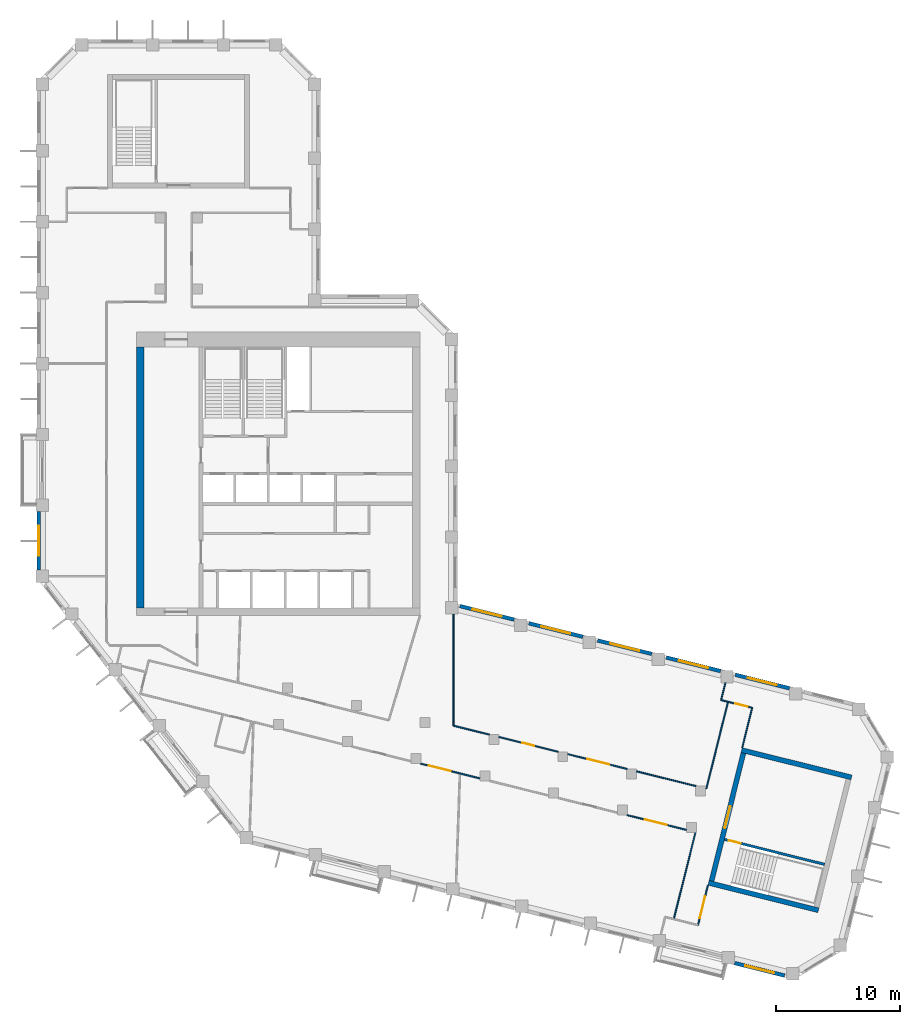
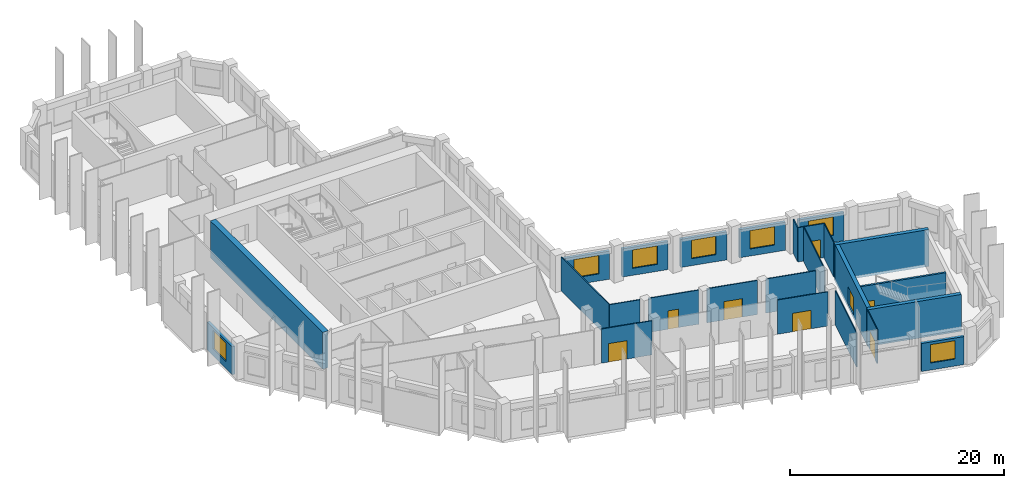
# One storey, part 4 of 9: 26 walls, 8 doors, 7 windows, 15 openings.
"""IFC4 building model written with IfcOpenShell, lengths in metres."""

from ifc_helpers import new_model, si_unit, direction, frame, frame_2d, origin, place, context, subcontext, project, spatial, rectangle, extrude, material, layer, layer_set, type_object, element, fill, save


model = new_model("IFC4")

# Units and contexts
model_context = context("Model", 3, precision=1e-05, world=origin(), true_north=direction((0.0, 1.0)))
body_context = subcontext(model_context, "Body", "Model", "MODEL_VIEW")
ifc_project = project(units=[si_unit("LENGTHUNIT", "METRE"), si_unit("AREAUNIT", "SQUARE_METRE"), si_unit("VOLUMEUNIT", "CUBIC_METRE"), si_unit("PLANEANGLEUNIT", "RADIAN"), si_unit("MASSUNIT", "GRAM", prefix="KILO")], contexts=[model_context])

# Site, building, storey
site_placement = place(None, origin())
site = spatial("IfcSite", under=ifc_project, at=site_placement, CompositionType="ELEMENT")
building_placement = place(site_placement, origin())
building = spatial("IfcBuilding", under=site, at=building_placement, Name="Meshkara Civic Tower", CompositionType="ELEMENT")
storey_placement = place(building_placement, frame((0.0, 0.0, 340.199951171875)))
storey = spatial("IfcBuildingStorey", under=building, at=storey_placement, Name="L78", CompositionType="ELEMENT", Elevation=340.199951171875)

# Wall
ifc_material_1 = material(Name="Concrete C60", Category="concrete")
ifc_layer_1 = layer(ifc_material_1, 0.60009765625)
ifc_layer_set_1 = layer_set([ifc_layer_1], Name="Core ring wall 600 C60")
wall_type_1 = type_object("IfcWallType", Name="Core ring wall 600 C60", PredefinedType="SHEAR", material=ifc_layer_set_1)
wall_1_placement = place(storey_placement, frame((8.300048828125, 14.699951171875, -0.300048828125), z_axis=(0.0, 0.0, 1.0), x_axis=(0.0, 1.0, 0.0)))
element("IfcWall", 1, at=wall_1_placement, inside=storey, type_object=wall_type_1, Name="L78-C003", PredefinedType="SHEAR", context=body_context, shape_type="SweptSolid", body=[
    extrude(rectangle(XDim=21.0, YDim=0.60009765625, at=frame_2d((10.5, 0.0))), origin(), (0.0, 0.0, 1.0), 4.2001953125),
])

# Wall, opening, door
ifc_material_2 = material(Name="Corridor wall 100")
ifc_layer_2 = layer(ifc_material_2, 0.10009765625)
ifc_layer_set_2 = layer_set([ifc_layer_2], Name="Corridor wall 100")
wall_type_2 = type_object("IfcWallType", Name="Corridor wall 100", PredefinedType="PARTITIONING", material=ifc_layer_set_2)
wall_2_placement = place(storey_placement, frame((30.85009765625, 2.201904296875, 0.0), z_axis=(0.0, 0.0, 1.0), x_axis=(0.970308932068, -0.2418689239, 0.0)))
wall_2 = element("IfcWall", 2, at=wall_2_placement, inside=storey, type_object=wall_type_2, Name="L78-W022", PredefinedType="PARTITIONING", context=body_context, shape_type="SweptSolid", body=[
    extrude(rectangle(XDim=4.91162109375, YDim=0.10009765625, at=frame_2d((2.455810546875, 0.0))), origin(), (0.0, 0.0, 1.0), 3.900146484375),
])
opening_1_placement = place(wall_2_placement, frame((0.679931640625, 0.0, 0.0)))
opening_1 = element("IfcOpeningElement", 3, at=opening_1_placement, cuts=wall_2, Name="Opening L78-D006", PredefinedType="OPENING", context=body_context, shape_type="SweptSolid", body=[
    extrude(rectangle(XDim=1.800048828125, YDim=2.10009765625, at=frame_2d((0.89990234375, 1.050048828125))), frame((0.0, 0.06005859375, 0.0), z_axis=(0.0, -1.0, 0.0), x_axis=(1.0, 0.0, 0.0)), (0.0, 0.0, 1.0), 0.1201171875),
])
ifc_material_3 = material(Name="Door pair 1800 x 2100")
door_type_1 = type_object("IfcDoorType", Name="Door pair 1800 x 2100", OperationType="SINGLE_SWING_LEFT", PredefinedType="DOOR", material=ifc_material_3)
door_1_placement = place(opening_1_placement, origin())
door_1 = element("IfcDoor", 4, at=door_1_placement, inside=storey, type_object=door_type_1, Name="L78-D006", OperationType="DOUBLE_DOOR_SINGLE_SWING", OverallHeight=2.10009765625, OverallWidth=1.800048828125, PredefinedType="DOOR", context=body_context, shape_type="SweptSolid", body=[
    extrude(rectangle(XDim=1.800048828125, YDim=2.10009765625, at=frame_2d((0.89990234375, 1.050048828125))), frame((0.0, 0.02490234375, 0.0), z_axis=(0.0, -1.0, 0.0), x_axis=(1.0, 0.0, 0.0)), (0.0, 0.0, 1.0), 0.050048828125),
])
fill(opening_1, door_1)

# Walls
wall_3_placement = place(storey_placement, frame((33.5, 5.2509765625, 0.0), z_axis=(0.0, 0.0, 1.0), x_axis=(0.0, 1.0, 0.0)))
element("IfcWall", 5, at=wall_3_placement, inside=storey, type_object=wall_type_2, Name="L78-W024", PredefinedType="PARTITIONING", context=body_context, shape_type="SweptSolid", body=[
    extrude(rectangle(XDim=8.968017578125, YDim=0.10009765625, at=frame_2d((4.48388671875, 0.0))), origin(), (0.0, 0.0, 1.0), 3.900146484375),
])
wall_4_placement = place(storey_placement, frame((36.3759765625, 4.533935546875, 0.0), z_axis=(0.0, 0.0, 1.0), x_axis=(-0.970297347928, 0.241915391415, 0.0)))
element("IfcWall", 6, at=wall_4_placement, inside=storey, type_object=wall_type_2, Name="L78-W026", PredefinedType="PARTITIONING", context=body_context, shape_type="SweptSolid", body=[
    extrude(rectangle(XDim=2.964111328125, YDim=0.10009765625, at=frame_2d((1.48193359375, 0.0))), origin(), (0.0, 0.0, 1.0), 3.900146484375),
])

# Wall, opening, door
wall_5_placement = place(storey_placement, frame((41.907958984375, 3.155029296875, 0.0), z_axis=(0.0, 0.0, 1.0), x_axis=(-0.970308932068, 0.2418689239, 0.0)))
wall_5 = element("IfcWall", 7, at=wall_5_placement, inside=storey, type_object=wall_type_2, Name="L78-W028", PredefinedType="PARTITIONING", context=body_context, shape_type="SweptSolid", body=[
    extrude(rectangle(XDim=4.91162109375, YDim=0.10009765625, at=frame_2d((2.455810546875, 0.0))), origin(), (0.0, 0.0, 1.0), 3.900146484375),
])
opening_2_placement = place(wall_5_placement, frame((1.97998046875, 0.0, 0.0)))
opening_2 = element("IfcOpeningElement", 8, at=opening_2_placement, cuts=wall_5, Name="Opening L78-D007", PredefinedType="OPENING", context=body_context, shape_type="SweptSolid", body=[
    extrude(rectangle(XDim=1.0, YDim=2.10009765625, at=frame_2d((0.5, 1.050048828125))), frame((0.0, 0.06005859375, 0.0), z_axis=(0.0, -1.0, 0.0), x_axis=(1.0, 0.0, 0.0)), (0.0, 0.0, 1.0), 0.1201171875),
])
ifc_material_4 = material(Name="Door 1000 x 2100")
door_type_2 = type_object("IfcDoorType", Name="Door 1000 x 2100", OperationType="SINGLE_SWING_LEFT", PredefinedType="DOOR", material=ifc_material_4)
door_2_placement = place(opening_2_placement, origin())
door_2 = element("IfcDoor", 9, at=door_2_placement, inside=storey, type_object=door_type_2, Name="L78-D007", OperationType="SINGLE_SWING_LEFT", OverallHeight=2.10009765625, OverallWidth=1.0, PredefinedType="DOOR", context=body_context, shape_type="SweptSolid", body=[
    extrude(rectangle(XDim=1.0, YDim=2.10009765625, at=frame_2d((0.5, 1.050048828125))), frame((0.0, 0.02490234375, 0.0), z_axis=(0.0, -1.0, 0.0), x_axis=(1.0, 0.0, 0.0)), (0.0, 0.0, 1.0), 0.050048828125),
])
fill(opening_2, door_2)

wall_6_placement = place(storey_placement, frame((47.444091796875, -1.93505859375, 0.0), z_axis=(0.0, 0.0, 1.0), x_axis=(0.970285656006, -0.241962281665, 0.0)))
wall_6 = element("IfcWall", 10, at=wall_6_placement, inside=storey, type_object=wall_type_2, Name="L78-W029", PredefinedType="PARTITIONING", context=body_context, shape_type="SweptSolid", body=[
    extrude(rectangle(XDim=4.909912109375, YDim=0.10009765625, at=frame_2d((2.455078125, 0.0))), origin(), (0.0, 0.0, 1.0), 3.900146484375),
])
opening_3_placement = place(wall_6_placement, frame((1.47998046875, 0.0, 0.0)))
opening_3 = element("IfcOpeningElement", 11, at=opening_3_placement, cuts=wall_6, Name="Opening L78-D003", PredefinedType="OPENING", context=body_context, shape_type="SweptSolid", body=[
    extrude(rectangle(XDim=1.800048828125, YDim=2.10009765625, at=frame_2d((0.89990234375, 1.050048828125))), frame((0.0, 0.06005859375, 0.0), z_axis=(0.0, -1.0, 0.0), x_axis=(1.0, 0.0, 0.0)), (0.0, 0.0, 1.0), 0.1201171875),
])
door_3_placement = place(opening_3_placement, origin())
door_3 = element("IfcDoor", 12, at=door_3_placement, inside=storey, type_object=door_type_1, Name="L78-D003", OperationType="DOUBLE_DOOR_SINGLE_SWING", OverallHeight=2.10009765625, OverallWidth=1.800048828125, PredefinedType="DOOR", context=body_context, shape_type="SweptSolid", body=[
    extrude(rectangle(XDim=1.800048828125, YDim=2.10009765625, at=frame_2d((0.89990234375, 1.050048828125))), frame((0.0, 0.02490234375, 0.0), z_axis=(0.0, -1.0, 0.0), x_axis=(1.0, 0.0, 0.0)), (0.0, 0.0, 1.0), 0.050048828125),
])
fill(opening_3, door_3)

wall_7_placement = place(storey_placement, frame((47.43994140625, 1.77587890625, 0.0), z_axis=(0.0, 0.0, 1.0), x_axis=(-0.970273873313, 0.242009526187, 0.0)))
wall_7 = element("IfcWall", 13, at=wall_7_placement, inside=storey, type_object=wall_type_2, Name="L78-W030", PredefinedType="PARTITIONING", context=body_context, shape_type="SweptSolid", body=[
    extrude(rectangle(XDim=4.913818359375, YDim=0.10009765625, at=frame_2d((2.45703125, 0.0))), origin(), (0.0, 0.0, 1.0), 3.900146484375),
])
opening_4_placement = place(wall_7_placement, frame((1.47998046875, 0.0, 0.0)))
opening_4 = element("IfcOpeningElement", 14, at=opening_4_placement, cuts=wall_7, Name="Opening L78-D008", PredefinedType="OPENING", context=body_context, shape_type="SweptSolid", body=[
    extrude(rectangle(XDim=1.800048828125, YDim=2.10009765625, at=frame_2d((0.89990234375, 1.050048828125))), frame((0.0, 0.06005859375, 0.0), z_axis=(0.0, -1.0, 0.0), x_axis=(1.0, 0.0, 0.0)), (0.0, 0.0, 1.0), 0.1201171875),
])
door_4_placement = place(opening_4_placement, origin())
door_4 = element("IfcDoor", 15, at=door_4_placement, inside=storey, type_object=door_type_1, Name="L78-D008", OperationType="DOUBLE_DOOR_SINGLE_SWING", OverallHeight=2.10009765625, OverallWidth=1.800048828125, PredefinedType="DOOR", context=body_context, shape_type="SweptSolid", body=[
    extrude(rectangle(XDim=1.800048828125, YDim=2.10009765625, at=frame_2d((0.89990234375, 1.050048828125))), frame((0.0, 0.02490234375, 0.0), z_axis=(0.0, -1.0, 0.0), x_axis=(1.0, 0.0, 0.0)), (0.0, 0.0, 1.0), 0.050048828125),
])
fill(opening_4, door_4)

# Walls
wall_8_placement = place(storey_placement, frame((52.94091796875, -3.31396484375, 0.0), z_axis=(0.0, 0.0, 1.0), x_axis=(-0.241944492524, -0.97029009195, 0.0)))
element("IfcWall", 16, at=wall_8_placement, inside=storey, type_object=wall_type_2, Name="L78-W032", PredefinedType="PARTITIONING", context=body_context, shape_type="SweptSolid", body=[
    extrude(rectangle(XDim=7.191650390625, YDim=0.10009765625, at=frame_2d((3.595703125, 0.0))), origin(), (0.0, 0.0, 1.0), 3.900146484375),
])
wall_9_placement = place(storey_placement, frame((52.971923828125, 0.39697265625, 0.0), z_axis=(0.0, 0.0, 1.0), x_axis=(-0.970300077675, 0.241904442422, 0.0)))
element("IfcWall", 17, at=wall_9_placement, inside=storey, type_object=wall_type_2, Name="L78-W033", PredefinedType="PARTITIONING", context=body_context, shape_type="SweptSolid", body=[
    extrude(rectangle(XDim=4.9150390625, YDim=0.10009765625, at=frame_2d((2.45751953125, 0.0))), origin(), (0.0, 0.0, 1.0), 3.900146484375),
])

# Wall, opening, door
wall_10_placement = place(storey_placement, frame((53.14208984375, -10.77587890625, 0.0), z_axis=(0.0, 0.0, 1.0), x_axis=(0.241786986316, 0.970329352977, 0.0)))
wall_10 = element("IfcWall", 18, at=wall_10_placement, inside=storey, type_object=wall_type_2, Name="L78-W034", PredefinedType="PARTITIONING", context=body_context, shape_type="SweptSolid", body=[
    extrude(rectangle(XDim=3.2998046875, YDim=0.10009765625, at=frame_2d((1.64990234375, 0.0))), origin(), (0.0, 0.0, 1.0), 3.900146484375),
])
opening_5_placement = place(wall_10_placement, frame((0.580078125, 0.0, 0.0)))
opening_5 = element("IfcOpeningElement", 19, at=opening_5_placement, cuts=wall_10, Name="Opening L78-D001", PredefinedType="OPENING", context=body_context, shape_type="SweptSolid", body=[
    extrude(rectangle(XDim=1.800048828125, YDim=2.10009765625, at=frame_2d((0.89990234375, 1.050048828125))), frame((0.0, 0.06005859375, 0.0), z_axis=(0.0, -1.0, 0.0), x_axis=(1.0, 0.0, 0.0)), (0.0, 0.0, 1.0), 0.1201171875),
])
door_5_placement = place(opening_5_placement, origin())
door_5 = element("IfcDoor", 20, at=door_5_placement, inside=storey, type_object=door_type_1, Name="L78-D001", OperationType="DOUBLE_DOOR_SINGLE_SWING", OverallHeight=2.10009765625, OverallWidth=1.800048828125, PredefinedType="DOOR", context=body_context, shape_type="SweptSolid", body=[
    extrude(rectangle(XDim=1.800048828125, YDim=2.10009765625, at=frame_2d((0.89990234375, 1.050048828125))), frame((0.0, 0.02490234375, 0.0), z_axis=(0.0, -1.0, 0.0), x_axis=(1.0, 0.0, 0.0)), (0.0, 0.0, 1.0), 0.050048828125),
])
fill(opening_5, door_5)

# Walls
wall_11_placement = place(storey_placement, frame((55.555908203125, 7.173095703125, 0.0), z_axis=(0.0, 0.0, 1.0), x_axis=(-0.241937193493, -0.970291911955, 0.0)))
element("IfcWall", 21, at=wall_11_placement, inside=storey, type_object=wall_type_2, Name="L78-W035", PredefinedType="PARTITIONING", context=body_context, shape_type="SweptSolid", body=[
    extrude(rectangle(XDim=7.199951171875, YDim=0.10009765625, at=frame_2d((3.60009765625, 0.0))), origin(), (0.0, 0.0, 1.0), 3.900146484375),
])
wall_12_placement = place(storey_placement, frame((56.697998046875, 3.487060546875, 0.0), z_axis=(0.0, 0.0, 1.0), x_axis=(0.241856645367, 0.970311992656, 0.0)))
element("IfcWall", 22, at=wall_12_placement, inside=storey, type_object=wall_type_2, Name="L78-W036", PredefinedType="PARTITIONING", context=body_context, shape_type="SweptSolid", body=[
    extrude(rectangle(XDim=3.2998046875, YDim=0.10009765625, at=frame_2d((1.64990234375, 0.0))), origin(), (0.0, 0.0, 1.0), 3.900146484375),
])

# Wall, opening, door
wall_13_placement = place(storey_placement, frame((57.49609375, 6.68896484375, 0.0), z_axis=(0.0, 0.0, 1.0), x_axis=(-0.970250131019, 0.242104694829, 0.0)))
wall_13 = element("IfcWall", 23, at=wall_13_placement, inside=storey, type_object=wall_type_2, Name="L78-W037", PredefinedType="PARTITIONING", context=body_context, shape_type="SweptSolid", body=[
    extrude(rectangle(XDim=1.999755859375, YDim=0.10009765625, at=frame_2d((1.0, 0.0))), origin(), (0.0, 0.0, 1.0), 3.900146484375),
])
opening_6_placement = place(wall_13_placement, frame((0.3798828125, 0.0, 0.0)))
opening_6 = element("IfcOpeningElement", 24, at=opening_6_placement, cuts=wall_13, Name="Opening L78-D011", PredefinedType="OPENING", context=body_context, shape_type="SweptSolid", body=[
    extrude(rectangle(XDim=1.0, YDim=2.10009765625, at=frame_2d((0.5, 1.050048828125))), frame((0.0, 0.06005859375, 0.0), z_axis=(0.0, -1.0, 0.0), x_axis=(1.0, 0.0, 0.0)), (0.0, 0.0, 1.0), 0.1201171875),
])
door_6_placement = place(opening_6_placement, origin())
door_6 = element("IfcDoor", 25, at=door_6_placement, inside=storey, type_object=door_type_2, Name="L78-D011", OperationType="SINGLE_SWING_RIGHT", OverallHeight=2.10009765625, OverallWidth=1.0, PredefinedType="DOOR", context=body_context, shape_type="SweptSolid", body=[
    extrude(rectangle(XDim=1.0, YDim=2.10009765625, at=frame_2d((0.5, 1.050048828125))), frame((0.0, 0.02490234375, 0.0), z_axis=(0.0, -1.0, 0.0), x_axis=(1.0, 0.0, 0.0)), (0.0, 0.0, 1.0), 0.050048828125),
])
fill(opening_6, door_6)

# Wall, opening, window
ifc_material_5 = material(Name="Insulated infill panel with bronze anodised aluminium cladding", Category="aluminium")
ifc_layer_3 = layer(ifc_material_5, 0.300048828125)
ifc_layer_set_3 = layer_set([ifc_layer_3], Name="EXTERNAL INFILL WALL 300")
wall_type_3 = type_object("IfcWallType", Name="EXTERNAL INFILL WALL 300", PredefinedType="SOLIDWALL", material=ifc_layer_set_3)
wall_14_placement = place(storey_placement, frame((60.488037109375, 8.261962890625, 0.0), z_axis=(0.0, 0.0, 1.0), x_axis=(-0.970276766004, 0.241997928406, 0.0)))
wall_14 = element("IfcWall", 26, at=wall_14_placement, inside=storey, type_object=wall_type_3, Name="External wall", PredefinedType="SOLIDWALL", context=body_context, shape_type="SweptSolid", body=[
    extrude(rectangle(XDim=4.4873046875, YDim=0.300048828125, at=frame_2d((2.24365234375, 0.0))), origin(), (0.0, 0.0, 1.0), 3.199951171875),
])
opening_7_placement = place(wall_14_placement, frame((1.0439453125, 0.0, 0.800048828125)))
opening_7 = element("IfcOpeningElement", 27, at=opening_7_placement, cuts=wall_14, Name="Opening W7", PredefinedType="OPENING", context=body_context, shape_type="SweptSolid", body=[
    extrude(rectangle(XDim=2.39990234375, YDim=2.10009765625, at=frame_2d((1.199951171875, 1.050048828125))), frame((0.0, 0.159912109375, 0.0), z_axis=(0.0, -1.0, 0.0), x_axis=(1.0, 0.0, 0.0)), (0.0, 0.0, 1.0), 0.320068359375),
])
ifc_material_6 = material(Name="Tinted double glazing", Category="glass")
window_type = type_object("IfcWindowType", Name="WINDOW 2400x2100", PartitioningType="DOUBLE_PANEL_VERTICAL", PredefinedType="WINDOW", material=ifc_material_6)
window_1_placement = place(opening_7_placement, origin())
window_1 = element("IfcWindow", 28, at=window_1_placement, inside=storey, type_object=window_type, Name="Window", OverallHeight=2.10009765625, OverallWidth=2.39990234375, PartitioningType="DOUBLE_PANEL_VERTICAL", PredefinedType="WINDOW", context=body_context, shape_type="SweptSolid", body=[
    extrude(rectangle(XDim=2.39990234375, YDim=2.10009765625, at=frame_2d((1.199951171875, 1.050048828125))), frame((0.0, 0.030029296875, 0.0), z_axis=(0.0, -1.0, 0.0), x_axis=(1.0, 0.0, 0.0)), (0.0, 0.0, 1.0), 0.06005859375),
])
fill(opening_7, window_1)

wall_15_placement = place(storey_placement, frame((54.9580078125, 9.64111328125, 0.0), z_axis=(0.0, 0.0, 1.0), x_axis=(-0.970289506684, 0.241946839653, 0.0)))
wall_15 = element("IfcWall", 29, at=wall_15_placement, inside=storey, type_object=wall_type_3, Name="External wall", PredefinedType="SOLIDWALL", context=body_context, shape_type="SweptSolid", body=[
    extrude(rectangle(XDim=4.48828125, YDim=0.300048828125, at=frame_2d((2.244140625, 0.0))), origin(), (0.0, 0.0, 1.0), 3.199951171875),
])
opening_8_placement = place(wall_15_placement, frame((1.0439453125, 0.0, 0.800048828125)))
opening_8 = element("IfcOpeningElement", 30, at=opening_8_placement, cuts=wall_15, Name="Opening W7", PredefinedType="OPENING", context=body_context, shape_type="SweptSolid", body=[
    extrude(rectangle(XDim=2.39990234375, YDim=2.10009765625, at=frame_2d((1.199951171875, 1.050048828125))), frame((0.0, 0.159912109375, 0.0), z_axis=(0.0, -1.0, 0.0), x_axis=(1.0, 0.0, 0.0)), (0.0, 0.0, 1.0), 0.320068359375),
])
window_2_placement = place(opening_8_placement, origin())
window_2 = element("IfcWindow", 31, at=window_2_placement, inside=storey, type_object=window_type, Name="Window", OverallHeight=2.10009765625, OverallWidth=2.39990234375, PartitioningType="DOUBLE_PANEL_VERTICAL", PredefinedType="WINDOW", context=body_context, shape_type="SweptSolid", body=[
    extrude(rectangle(XDim=2.39990234375, YDim=2.10009765625, at=frame_2d((1.199951171875, 1.050048828125))), frame((0.0, 0.030029296875, 0.0), z_axis=(0.0, -1.0, 0.0), x_axis=(1.0, 0.0, 0.0)), (0.0, 0.0, 1.0), 0.06005859375),
])
fill(opening_8, window_2)

wall_16_placement = place(storey_placement, frame((49.427001953125, 11.02001953125, 0.0), z_axis=(0.0, 0.0, 1.0), x_axis=(-0.970289506684, 0.241946839653, 0.0)))
wall_16 = element("IfcWall", 32, at=wall_16_placement, inside=storey, type_object=wall_type_3, Name="External wall", PredefinedType="SOLIDWALL", context=body_context, shape_type="SweptSolid", body=[
    extrude(rectangle(XDim=4.48828125, YDim=0.300048828125, at=frame_2d((2.244140625, 0.0))), origin(), (0.0, 0.0, 1.0), 3.199951171875),
])
opening_9_placement = place(wall_16_placement, frame((1.0439453125, 0.0, 0.800048828125)))
opening_9 = element("IfcOpeningElement", 33, at=opening_9_placement, cuts=wall_16, Name="Opening W7", PredefinedType="OPENING", context=body_context, shape_type="SweptSolid", body=[
    extrude(rectangle(XDim=2.39990234375, YDim=2.10009765625, at=frame_2d((1.199951171875, 1.050048828125))), frame((0.0, 0.159912109375, 0.0), z_axis=(0.0, -1.0, 0.0), x_axis=(1.0, 0.0, 0.0)), (0.0, 0.0, 1.0), 0.320068359375),
])
window_3_placement = place(opening_9_placement, origin())
window_3 = element("IfcWindow", 34, at=window_3_placement, inside=storey, type_object=window_type, Name="Window", OverallHeight=2.10009765625, OverallWidth=2.39990234375, PartitioningType="DOUBLE_PANEL_VERTICAL", PredefinedType="WINDOW", context=body_context, shape_type="SweptSolid", body=[
    extrude(rectangle(XDim=2.39990234375, YDim=2.10009765625, at=frame_2d((1.199951171875, 1.050048828125))), frame((0.0, 0.030029296875, 0.0), z_axis=(0.0, -1.0, 0.0), x_axis=(1.0, 0.0, 0.0)), (0.0, 0.0, 1.0), 0.06005859375),
])
fill(opening_9, window_3)

wall_17_placement = place(storey_placement, frame((43.89599609375, 12.39892578125, 0.0), z_axis=(0.0, 0.0, 1.0), x_axis=(-0.970263990019, 0.242049147224, 0.0)))
wall_17 = element("IfcWall", 35, at=wall_17_placement, inside=storey, type_object=wall_type_3, Name="External wall", PredefinedType="SOLIDWALL", context=body_context, shape_type="SweptSolid", body=[
    extrude(rectangle(XDim=4.487548828125, YDim=0.300048828125, at=frame_2d((2.24365234375, 0.0))), origin(), (0.0, 0.0, 1.0), 3.199951171875),
])
opening_10_placement = place(wall_17_placement, frame((1.0439453125, 0.0, 0.800048828125)))
opening_10 = element("IfcOpeningElement", 36, at=opening_10_placement, cuts=wall_17, Name="Opening W7", PredefinedType="OPENING", context=body_context, shape_type="SweptSolid", body=[
    extrude(rectangle(XDim=2.39990234375, YDim=2.10009765625, at=frame_2d((1.199951171875, 1.050048828125))), frame((0.0, 0.159912109375, 0.0), z_axis=(0.0, -1.0, 0.0), x_axis=(1.0, 0.0, 0.0)), (0.0, 0.0, 1.0), 0.320068359375),
])
window_4_placement = place(opening_10_placement, origin())
window_4 = element("IfcWindow", 37, at=window_4_placement, inside=storey, type_object=window_type, Name="Window", OverallHeight=2.10009765625, OverallWidth=2.39990234375, PartitioningType="DOUBLE_PANEL_VERTICAL", PredefinedType="WINDOW", context=body_context, shape_type="SweptSolid", body=[
    extrude(rectangle(XDim=2.39990234375, YDim=2.10009765625, at=frame_2d((1.199951171875, 1.050048828125))), frame((0.0, 0.030029296875, 0.0), z_axis=(0.0, -1.0, 0.0), x_axis=(1.0, 0.0, 0.0)), (0.0, 0.0, 1.0), 0.06005859375),
])
fill(opening_10, window_4)

wall_18_placement = place(storey_placement, frame((38.365966796875, 13.778076171875, 0.0), z_axis=(0.0, 0.0, 1.0), x_axis=(-0.970289506684, 0.241946839653, 0.0)))
wall_18 = element("IfcWall", 38, at=wall_18_placement, inside=storey, type_object=wall_type_3, Name="External wall", PredefinedType="SOLIDWALL", context=body_context, shape_type="SweptSolid", body=[
    extrude(rectangle(XDim=4.48828125, YDim=0.300048828125, at=frame_2d((2.244140625, 0.0))), origin(), (0.0, 0.0, 1.0), 3.199951171875),
])
opening_11_placement = place(wall_18_placement, frame((1.0439453125, 0.0, 0.800048828125)))
opening_11 = element("IfcOpeningElement", 39, at=opening_11_placement, cuts=wall_18, Name="Opening W7", PredefinedType="OPENING", context=body_context, shape_type="SweptSolid", body=[
    extrude(rectangle(XDim=2.39990234375, YDim=2.10009765625, at=frame_2d((1.199951171875, 1.050048828125))), frame((0.0, 0.159912109375, 0.0), z_axis=(0.0, -1.0, 0.0), x_axis=(1.0, 0.0, 0.0)), (0.0, 0.0, 1.0), 0.320068359375),
])
window_5_placement = place(opening_11_placement, origin())
window_5 = element("IfcWindow", 40, at=window_5_placement, inside=storey, type_object=window_type, Name="Window", OverallHeight=2.10009765625, OverallWidth=2.39990234375, PartitioningType="DOUBLE_PANEL_VERTICAL", PredefinedType="WINDOW", context=body_context, shape_type="SweptSolid", body=[
    extrude(rectangle(XDim=2.39990234375, YDim=2.10009765625, at=frame_2d((1.199951171875, 1.050048828125))), frame((0.0, 0.030029296875, 0.0), z_axis=(0.0, -1.0, 0.0), x_axis=(1.0, 0.0, 0.0)), (0.0, 0.0, 1.0), 0.06005859375),
])
fill(opening_11, window_5)

wall_19_placement = place(storey_placement, frame((0.14990234375, 22.455078125, 0.0), z_axis=(0.0, 0.0, 1.0), x_axis=(0.0, -1.0, 0.0)))
wall_19 = element("IfcWall", 41, at=wall_19_placement, inside=storey, type_object=wall_type_3, Name="External wall", PredefinedType="SOLIDWALL", context=body_context, shape_type="SweptSolid", body=[
    extrude(rectangle(XDim=4.7001953125, YDim=0.300048828125, at=frame_2d((2.35009765625, 0.0))), origin(), (0.0, 0.0, 1.0), 3.199951171875),
])
opening_12_placement = place(wall_19_placement, frame((1.14990234375, 0.0, 0.800048828125)))
opening_12 = element("IfcOpeningElement", 42, at=opening_12_placement, cuts=wall_19, Name="Opening W7", PredefinedType="OPENING", context=body_context, shape_type="SweptSolid", body=[
    extrude(rectangle(XDim=2.39990234375, YDim=2.10009765625, at=frame_2d((1.199951171875, 1.050048828125))), frame((0.0, 0.159912109375, 0.0), z_axis=(0.0, -1.0, 0.0), x_axis=(1.0, 0.0, 0.0)), (0.0, 0.0, 1.0), 0.320068359375),
])
window_6_placement = place(opening_12_placement, origin())
window_6 = element("IfcWindow", 43, at=window_6_placement, inside=storey, type_object=window_type, Name="Window", OverallHeight=2.10009765625, OverallWidth=2.39990234375, PartitioningType="DOUBLE_PANEL_VERTICAL", PredefinedType="WINDOW", context=body_context, shape_type="SweptSolid", body=[
    extrude(rectangle(XDim=2.39990234375, YDim=2.10009765625, at=frame_2d((1.199951171875, 1.050048828125))), frame((0.0, 0.030029296875, 0.0), z_axis=(0.0, -1.0, 0.0), x_axis=(1.0, 0.0, 0.0)), (0.0, 0.0, 1.0), 0.06005859375),
])
fill(opening_12, window_6)

wall_20_placement = place(storey_placement, frame((56.0810546875, -13.827880859375, 0.0), z_axis=(0.0, 0.0, 1.0), x_axis=(0.970246294139, -0.242120070853, 0.0)))
wall_20 = element("IfcWall", 44, at=wall_20_placement, inside=storey, type_object=wall_type_3, Name="External wall", PredefinedType="SOLIDWALL", context=body_context, shape_type="SweptSolid", body=[
    extrude(rectangle(XDim=4.147216796875, YDim=0.300048828125, at=frame_2d((2.07373046875, 0.0))), origin(), (0.0, 0.0, 1.0), 3.199951171875),
])
opening_13_placement = place(wall_20_placement, frame((0.8740234375, 0.0, 0.800048828125)))
opening_13 = element("IfcOpeningElement", 45, at=opening_13_placement, cuts=wall_20, Name="Opening W7", PredefinedType="OPENING", context=body_context, shape_type="SweptSolid", body=[
    extrude(rectangle(XDim=2.39990234375, YDim=2.10009765625, at=frame_2d((1.199951171875, 1.050048828125))), frame((0.0, 0.159912109375, 0.0), z_axis=(0.0, -1.0, 0.0), x_axis=(1.0, 0.0, 0.0)), (0.0, 0.0, 1.0), 0.320068359375),
])
window_7_placement = place(opening_13_placement, origin())
window_7 = element("IfcWindow", 46, at=window_7_placement, inside=storey, type_object=window_type, Name="Window", OverallHeight=2.10009765625, OverallWidth=2.39990234375, PartitioningType="DOUBLE_PANEL_VERTICAL", PredefinedType="WINDOW", context=body_context, shape_type="SweptSolid", body=[
    extrude(rectangle(XDim=2.39990234375, YDim=2.10009765625, at=frame_2d((1.199951171875, 1.050048828125))), frame((0.0, 0.030029296875, 0.0), z_axis=(0.0, -1.0, 0.0), x_axis=(1.0, 0.0, 0.0)), (0.0, 0.0, 1.0), 0.06005859375),
])
fill(opening_13, window_7)

# Walls
ifc_material_7 = material(Name="Concrete C60", Category="concrete")
ifc_layer_4 = layer(ifc_material_7, 0.39990234375)
ifc_layer_set_4 = layer_set([ifc_layer_4], Name="End core ring wall 400 C60")
wall_type_4 = type_object("IfcWallType", Name="End core ring wall 400 C60", PredefinedType="SHEAR", material=ifc_layer_set_4)
wall_21_placement = place(storey_placement, frame((53.988037109375, -7.3798828125, -0.300048828125), z_axis=(0.0, 0.0, 1.0), x_axis=(0.970281210621, -0.241980107272, 0.0)))
element("IfcWall", 47, at=wall_21_placement, inside=storey, type_object=wall_type_4, Name="L78-C031", PredefinedType="SHEAR", context=body_context, shape_type="SweptSolid", body=[
    extrude(rectangle(XDim=9.1005859375, YDim=0.39990234375, at=frame_2d((4.55029296875, 0.0))), origin(), (0.0, 0.0, 1.0), 4.2001953125),
])
wall_22_placement = place(storey_placement, frame((56.64892578125, 3.29296875, -0.300048828125), z_axis=(0.0, 0.0, 1.0), x_axis=(0.970312696888, -0.241853820019, 0.0)))
element("IfcWall", 48, at=wall_22_placement, inside=storey, type_object=wall_type_4, Name="L78-C032", PredefinedType="SHEAR", context=body_context, shape_type="SweptSolid", body=[
    extrude(rectangle(XDim=9.100341796875, YDim=0.39990234375, at=frame_2d((4.55029296875, 0.0))), origin(), (0.0, 0.0, 1.0), 4.2001953125),
])

# Wall, opening, door
wall_23_placement = place(storey_placement, frame((54.23095703125, -7.23388671875, -0.300048828125), z_axis=(0.0, 0.0, 1.0), x_axis=(0.241890652548, 0.970303515509, 0.0)))
wall_23 = element("IfcWall", 49, at=wall_23_placement, inside=storey, type_object=wall_type_4, Name="L78-C033", PredefinedType="SHEAR", context=body_context, shape_type="SweptSolid", body=[
    extrude(rectangle(XDim=10.599609375, YDim=0.39990234375, at=frame_2d((5.2998046875, 0.0))), origin(), (0.0, 0.0, 1.0), 4.2001953125),
])
opening_14_placement = place(wall_23_placement, frame((4.39990234375, 0.0, 0.300048828125)))
opening_14 = element("IfcOpeningElement", 50, at=opening_14_placement, cuts=wall_23, Name="Opening L78-K202", PredefinedType="OPENING", context=body_context, shape_type="SweptSolid", body=[
    extrude(rectangle(XDim=1.800048828125, YDim=2.10009765625, at=frame_2d((0.89990234375, 1.050048828125))), frame((0.0, 0.2099609375, 0.0), z_axis=(0.0, -1.0, 0.0), x_axis=(1.0, 0.0, 0.0)), (0.0, 0.0, 1.0), 0.419921875),
])
ifc_material_8 = material(Name="Fire-rated door leaf in steel frame", Category="steel")
door_type_3 = type_object("IfcDoorType", Name="Core double door 1800 EI 60", OperationType="DOUBLE_DOOR_SINGLE_SWING", PredefinedType="DOOR", material=ifc_material_8)
door_7_placement = place(opening_14_placement, origin())
door_7 = element("IfcDoor", 51, at=door_7_placement, inside=storey, type_object=door_type_3, Name="L78-K202", OperationType="DOUBLE_DOOR_SINGLE_SWING", OverallHeight=2.10009765625, OverallWidth=1.800048828125, PredefinedType="DOOR", context=body_context, shape_type="SweptSolid", body=[
    extrude(rectangle(XDim=1.800048828125, YDim=2.10009765625, at=frame_2d((0.89990234375, 1.050048828125))), frame((0.0, 0.02490234375, 0.0), z_axis=(0.0, -1.0, 0.0), x_axis=(1.0, 0.0, 0.0)), (0.0, 0.0, 1.0), 0.050048828125),
])
fill(opening_14, door_7)

# Walls
ifc_material_9 = material(Name="Partition 100")
ifc_layer_5 = layer(ifc_material_9, 0.10009765625)
ifc_layer_set_5 = layer_set([ifc_layer_5], Name="Partition 100")
wall_type_5 = type_object("IfcWallType", Name="Partition 100", PredefinedType="PARTITIONING", material=ifc_layer_set_5)
wall_24_placement = place(storey_placement, frame((55.0009765625, 7.31103515625, 0.0), z_axis=(0.0, 0.0, 1.0), x_axis=(0.24185476373, 0.970312461664, 0.0)))
element("IfcWall", 52, at=wall_24_placement, inside=storey, type_object=wall_type_5, Name="L78-W054", PredefinedType="PARTITIONING", context=body_context, shape_type="SweptSolid", body=[
    extrude(rectangle(XDim=1.434326171875, YDim=0.10009765625, at=frame_2d((0.71728515625, 0.0))), origin(), (0.0, 0.0, 1.0), 3.900146484375),
])
wall_25_placement = place(storey_placement, frame((55.56005859375, 7.172119140625, 0.0), z_axis=(0.0, 0.0, 1.0), x_axis=(-0.970490503334, 0.241139343405, 0.0)))
element("IfcWall", 53, at=wall_25_placement, inside=storey, type_object=wall_type_5, Name="L78-W055", PredefinedType="PARTITIONING", context=body_context, shape_type="SweptSolid", body=[
    extrude(rectangle(XDim=0.576171875, YDim=0.10009765625, at=frame_2d((0.2880859375, 0.0))), origin(), (0.0, 0.0, 1.0), 3.900146484375),
])

# Wall, opening, door
ifc_material_10 = material(Name="Concrete C40/50", Category="concrete")
ifc_layer_6 = layer(ifc_material_10, 0.199951171875)
ifc_layer_set_6 = layer_set([ifc_layer_6], Name="Stair enclosure wall 200 C40/50")
wall_type_6 = type_object("IfcWallType", Name="Stair enclosure wall 200 C40/50", PredefinedType="SOLIDWALL", material=ifc_layer_set_6)
wall_26_placement = place(storey_placement, frame((55.27099609375, -3.886962890625, 0.0), z_axis=(0.0, 0.0, 1.0), x_axis=(0.970296288869, -0.241919639151, 0.0)))
wall_26 = element("IfcWall", 54, at=wall_26_placement, inside=storey, type_object=wall_type_6, Name="L78-C035", PredefinedType="SOLIDWALL", context=body_context, shape_type="SweptSolid", body=[
    extrude(rectangle(XDim=8.300537109375, YDim=0.199951171875, at=frame_2d((4.150390625, 0.0))), origin(), (0.0, 0.0, 1.0), 3.900146484375),
])
opening_15_placement = place(wall_26_placement, frame((0.35009765625, 0.0, 0.0)))
opening_15 = element("IfcOpeningElement", 55, at=opening_15_placement, cuts=wall_26, Name="Opening L78-K201", PredefinedType="OPENING", context=body_context, shape_type="SweptSolid", body=[
    extrude(rectangle(XDim=1.0, YDim=2.10009765625, at=frame_2d((0.5, 1.050048828125))), frame((0.0, 0.10986328125, 0.0), z_axis=(0.0, -1.0, 0.0), x_axis=(1.0, 0.0, 0.0)), (0.0, 0.0, 1.0), 0.219970703125),
])
ifc_material_11 = material(Name="Fire-rated door leaf in steel frame", Category="steel")
door_type_4 = type_object("IfcDoorType", Name="Stair door 1000 EI 120", OperationType="SINGLE_SWING_LEFT", PredefinedType="DOOR", material=ifc_material_11)
door_8_placement = place(opening_15_placement, origin())
door_8 = element("IfcDoor", 56, at=door_8_placement, inside=storey, type_object=door_type_4, Name="L78-K201", OperationType="SINGLE_SWING_LEFT", OverallHeight=2.10009765625, OverallWidth=1.0, PredefinedType="DOOR", context=body_context, shape_type="SweptSolid", body=[
    extrude(rectangle(XDim=1.0, YDim=2.10009765625, at=frame_2d((0.5, 1.050048828125))), frame((0.0, 0.02490234375, 0.0), z_axis=(0.0, -1.0, 0.0), x_axis=(1.0, 0.0, 0.0)), (0.0, 0.0, 1.0), 0.050048828125),
])
fill(opening_15, door_8)

save(model, "model.ifc")
